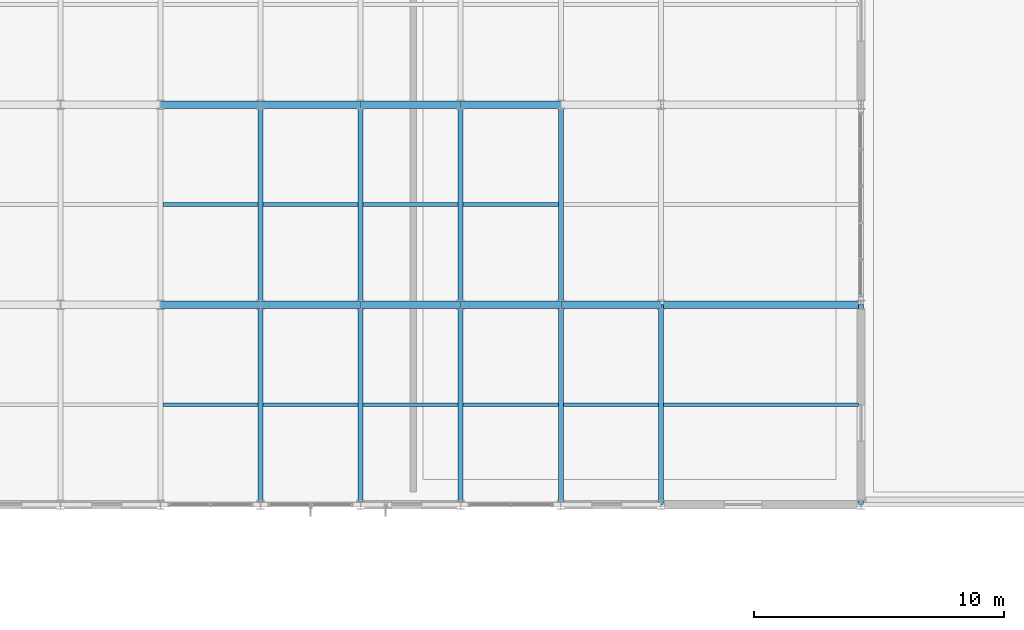
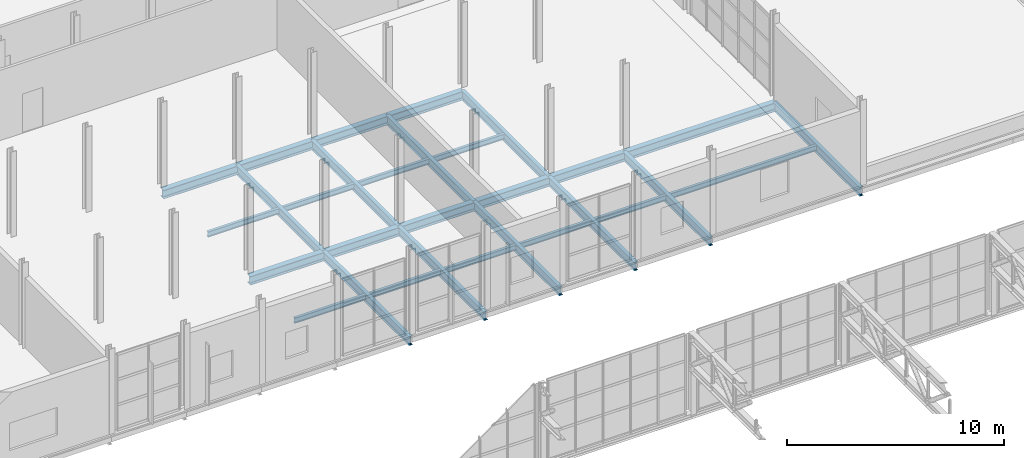
# One storey, part 99 of 143: 30 beams.
"""IFC4 building model written with IfcOpenShell, lengths in metres."""

from ifc_helpers import new_model, si_unit, derived_unit, direction, frame, origin, origin_2d, place, context, subcontext, project, spatial, i_section, extrude, material, material_profile, profile_set, type_object, element, save


model = new_model("IFC4")

# Units and contexts
model_context = context("Model", 3, precision=1e-05, world=origin(), true_north=direction((0.0, 1.0)))
body_context = subcontext(model_context, "Body", "Model", "MODEL_VIEW")
ifc_project = project(units=[si_unit("LENGTHUNIT", "METRE"), si_unit("AREAUNIT", "SQUARE_METRE"), si_unit("VOLUMEUNIT", "CUBIC_METRE"), si_unit("PLANEANGLEUNIT", "RADIAN"), si_unit("MASSUNIT", "GRAM", prefix="KILO"), derived_unit("THERMALTRANSMITTANCEUNIT", [(si_unit("POWERUNIT", "WATT"), 1), (si_unit("LENGTHUNIT", "METRE"), -2), (si_unit("THERMODYNAMICTEMPERATUREUNIT", "KELVIN"), -1)])], contexts=[model_context])

# Site, building, storey
site_placement = place(None, origin())
site = spatial("IfcSite", under=ifc_project, at=site_placement, CompositionType="ELEMENT")
building_placement = place(site_placement, origin())
building = spatial("IfcBuilding", under=site, at=building_placement, Name="Keldorne Ridge Multi-Sports Centre", CompositionType="ELEMENT")
storey_placement = place(building_placement, frame((0.0, 0.0, 4.800048828125)))
storey = spatial("IfcBuildingStorey", under=building, at=storey_placement, Name="L01", CompositionType="ELEMENT", Elevation=4.800048828125)

# Beams
ifc_material = material(Name="Steel S355", Category="steel")
ifc_material_profile_1 = material_profile(ifc_material, i_section(OverallWidth=0.199951171875, OverallDepth=0.5, WebThickness=0.01025390625, FlangeThickness=0.01611328125, FilletRadius=0.02099609375, at=origin_2d()), Name="IPE 500")
ifc_profile_set_1 = profile_set([ifc_material_profile_1], Name="Steel S355")
beam_type_1 = type_object("IfcBeamType", Name="BM-B-02", PredefinedType="BEAM", material=ifc_profile_set_1)
for number, where, z_axis, x_axis, name in (
    (1, (136.0, 66.0, -0.469970703125), (0.0, 1.0, 0.0), (-1.0, 0.0, 0.0), "L01 primary girder 136.1"),
    (2, (136.0, 74.0, -0.469970703125), (0.0, 1.0, 0.0), (-1.0, 0.0, 0.0), "L01 primary girder 136.2"),
    (3, (140.0, 66.0, -0.469970703125), (0.0, 1.0, 0.0), (-1.0, 0.0, 0.0), "L01 primary girder 140.1"),
    (4, (140.0, 74.0, -0.469970703125), (0.0, 1.0, 0.0), (-1.0, 0.0, 0.0), "L01 primary girder 140.2"),
    (5, (144.0, 66.0, -0.469970703125), (0.0, 1.0, 0.0), (-1.0, 0.0, 0.0), "L01 primary girder 144.1"),
    (6, (144.0, 74.0, -0.469970703125), (0.0, 1.0, 0.0), (-1.0, 0.0, 0.0), "L01 primary girder 144.2"),
    (7, (148.0, 66.0, -0.469970703125), (0.0, 1.0, 0.0), (-1.0, 0.0, 0.0), "L01 primary girder 148.1"),
    (8, (148.0, 74.0, -0.469970703125), (0.0, 1.0, 0.0), (-1.0, 0.0, 0.0), "L01 primary girder 148.2"),
    (9, (152.0, 66.0, -0.469970703125), (0.0, 1.0, 0.0), (-1.0, 0.0, 0.0), "L01 primary girder 152.1"),
    (10, (160.0, 66.0, -0.469970703125), (0.0, 1.0, 0.0), (-1.0, 0.0, 0.0), "L01 primary girder 160.1"),
):
    element("IfcBeam", number, at=place(storey_placement, frame(where, z_axis=z_axis, x_axis=x_axis)), inside=storey, type_object=beam_type_1, Name=name, PredefinedType="BEAM", context=body_context, shape_type="SweptSolid", body=[
        extrude(i_section(OverallWidth=0.199951171875, OverallDepth=0.5, WebThickness=0.01025390625, FlangeThickness=0.01611328125, FilletRadius=0.02099609375, at=origin_2d()), origin(), (0.0, 0.0, 1.0), 8.0),
    ])
ifc_material_profile_2 = material_profile(ifc_material, i_section(OverallWidth=0.300048828125, OverallDepth=0.489990234375, WebThickness=0.011962890625, FlangeThickness=0.02294921875, FilletRadius=0.027099609375, at=origin_2d()), Name="HEA 500")
ifc_profile_set_2 = profile_set([ifc_material_profile_2], Name="Steel S355")
beam_type_2 = type_object("IfcBeamType", Name="BM-B-08", PredefinedType="BEAM", material=ifc_profile_set_2)
for number, where, z_axis, x_axis, name in (
    (11, (132.0, 74.0, -0.465087890625), (1.0, 0.0, 0.0), (0.0, 1.0, 0.0), "L01 primary beam 6.74"),
    (12, (136.0, 74.0, -0.465087890625), (1.0, 0.0, 0.0), (0.0, 1.0, 0.0), "L01 primary beam 7.74"),
    (13, (140.0, 74.0, -0.465087890625), (1.0, 0.0, 0.0), (0.0, 1.0, 0.0), "L01 primary beam 8.74"),
    (14, (144.0, 74.0, -0.465087890625), (1.0, 0.0, 0.0), (0.0, 1.0, 0.0), "L01 primary beam 9.74"),
    (15, (148.0, 74.0, -0.465087890625), (1.0, 0.0, 0.0), (0.0, 1.0, 0.0), "L01 primary beam 10.74"),
):
    element("IfcBeam", number, at=place(storey_placement, frame(where, z_axis=z_axis, x_axis=x_axis)), inside=storey, type_object=beam_type_2, Name=name, PredefinedType="BEAM", context=body_context, shape_type="SweptSolid", body=[
        extrude(i_section(OverallWidth=0.300048828125, OverallDepth=0.489990234375, WebThickness=0.011962890625, FlangeThickness=0.02294921875, FilletRadius=0.027099609375, at=origin_2d()), origin(), (0.0, 0.0, 1.0), 4.0),
    ])
beam_1_placement = place(storey_placement, frame((152.0, 74.0, -0.465087890625), z_axis=(1.0, 0.0, 0.0), x_axis=(0.0, 1.0, 0.0)))
element("IfcBeam", 16, at=beam_1_placement, inside=storey, type_object=beam_type_2, Name="L01 primary beam 11.74", PredefinedType="BEAM", context=body_context, shape_type="SweptSolid", body=[
    extrude(i_section(OverallWidth=0.300048828125, OverallDepth=0.489990234375, WebThickness=0.011962890625, FlangeThickness=0.02294921875, FilletRadius=0.027099609375, at=origin_2d()), origin(), (0.0, 0.0, 1.0), 8.0),
])
for number, where, z_axis, x_axis, name in (
    (17, (132.0, 82.0, -0.465087890625), (1.0, 0.0, 0.0), (0.0, 1.0, 0.0), "L01 primary beam 6.82"),
    (18, (136.0, 82.0, -0.465087890625), (1.0, 0.0, 0.0), (0.0, 1.0, 0.0), "L01 primary beam 7.82"),
    (19, (140.0, 82.0, -0.465087890625), (1.0, 0.0, 0.0), (0.0, 1.0, 0.0), "L01 primary beam 8.82"),
    (20, (144.0, 82.0, -0.465087890625), (1.0, 0.0, 0.0), (0.0, 1.0, 0.0), "L01 primary beam 9.82"),
):
    element("IfcBeam", number, at=place(storey_placement, frame(where, z_axis=z_axis, x_axis=x_axis)), inside=storey, type_object=beam_type_2, Name=name, PredefinedType="BEAM", context=body_context, shape_type="SweptSolid", body=[
        extrude(i_section(OverallWidth=0.300048828125, OverallDepth=0.489990234375, WebThickness=0.011962890625, FlangeThickness=0.02294921875, FilletRadius=0.027099609375, at=origin_2d()), origin(), (0.0, 0.0, 1.0), 4.0),
    ])
ifc_material_profile_3 = material_profile(ifc_material, i_section(OverallWidth=0.14990234375, OverallDepth=0.300048828125, WebThickness=0.007080078125, FlangeThickness=0.0107421875, FilletRadius=0.014892578125, at=origin_2d()), Name="IPE 300")
ifc_profile_set_3 = profile_set([ifc_material_profile_3], Name="Steel S355")
beam_type_3 = type_object("IfcBeamType", Name="BM-J-02", PredefinedType="JOIST", material=ifc_profile_set_3)
for number, where, z_axis, x_axis, name in (
    (21, (132.10009765625, 70.0, -0.3701171875), (1.0, 0.0, 0.0), (0.0, 1.0, 0.0), "L01 secondary joist 6.1"),
    (22, (132.10009765625, 78.0, -0.3701171875), (1.0, 0.0, 0.0), (0.0, 1.0, 0.0), "L01 secondary joist 6.2"),
    (23, (136.10009765625, 70.0, -0.3701171875), (1.0, 0.0, 0.0), (0.0, 1.0, 0.0), "L01 secondary joist 7.1"),
    (24, (136.10009765625, 78.0, -0.3701171875), (1.0, 0.0, 0.0), (0.0, 1.0, 0.0), "L01 secondary joist 7.2"),
    (25, (140.10009765625, 70.0, -0.3701171875), (1.0, 0.0, 0.0), (0.0, 1.0, 0.0), "L01 secondary joist 8.1"),
    (26, (140.10009765625, 78.0, -0.3701171875), (1.0, 0.0, 0.0), (0.0, 1.0, 0.0), "L01 secondary joist 8.2"),
    (27, (144.10009765625, 70.0, -0.3701171875), (1.0, 0.0, 0.0), (0.0, 1.0, 0.0), "L01 secondary joist 9.1"),
    (28, (144.10009765625, 78.0, -0.3701171875), (1.0, 0.0, 0.0), (0.0, 1.0, 0.0), "L01 secondary joist 9.2"),
    (29, (148.10009765625, 70.0, -0.3701171875), (1.0, 0.0, 0.0), (0.0, 1.0, 0.0), "L01 secondary joist 10.1"),
):
    element("IfcBeam", number, at=place(storey_placement, frame(where, z_axis=z_axis, x_axis=x_axis)), inside=storey, type_object=beam_type_3, Name=name, PredefinedType="JOIST", context=body_context, shape_type="SweptSolid", body=[
        extrude(i_section(OverallWidth=0.14990234375, OverallDepth=0.300048828125, WebThickness=0.007080078125, FlangeThickness=0.0107421875, FilletRadius=0.014892578125, at=origin_2d()), origin(), (0.0, 0.0, 1.0), 3.7998046875),
    ])
beam_2_placement = place(storey_placement, frame((152.10009765625, 70.0, -0.3701171875), z_axis=(1.0, 0.0, 0.0), x_axis=(0.0, 1.0, 0.0)))
element("IfcBeam", 30, at=beam_2_placement, inside=storey, type_object=beam_type_3, Name="L01 secondary joist 11.1", PredefinedType="JOIST", context=body_context, shape_type="SweptSolid", body=[
    extrude(i_section(OverallWidth=0.14990234375, OverallDepth=0.300048828125, WebThickness=0.007080078125, FlangeThickness=0.0107421875, FilletRadius=0.014892578125, at=origin_2d()), origin(), (0.0, 0.0, 1.0), 7.7998046875),
])

save(model, "model.ifc")
